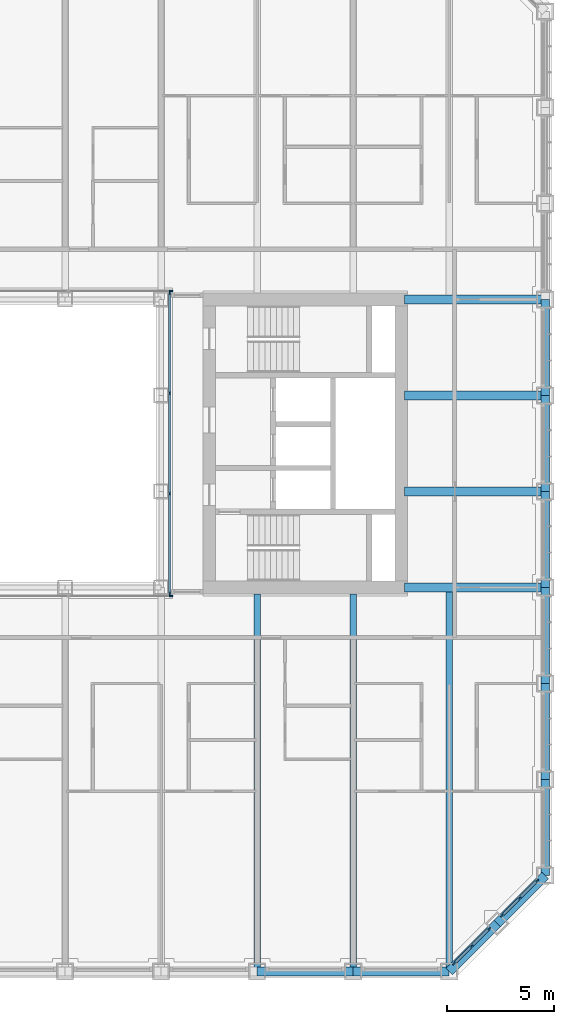
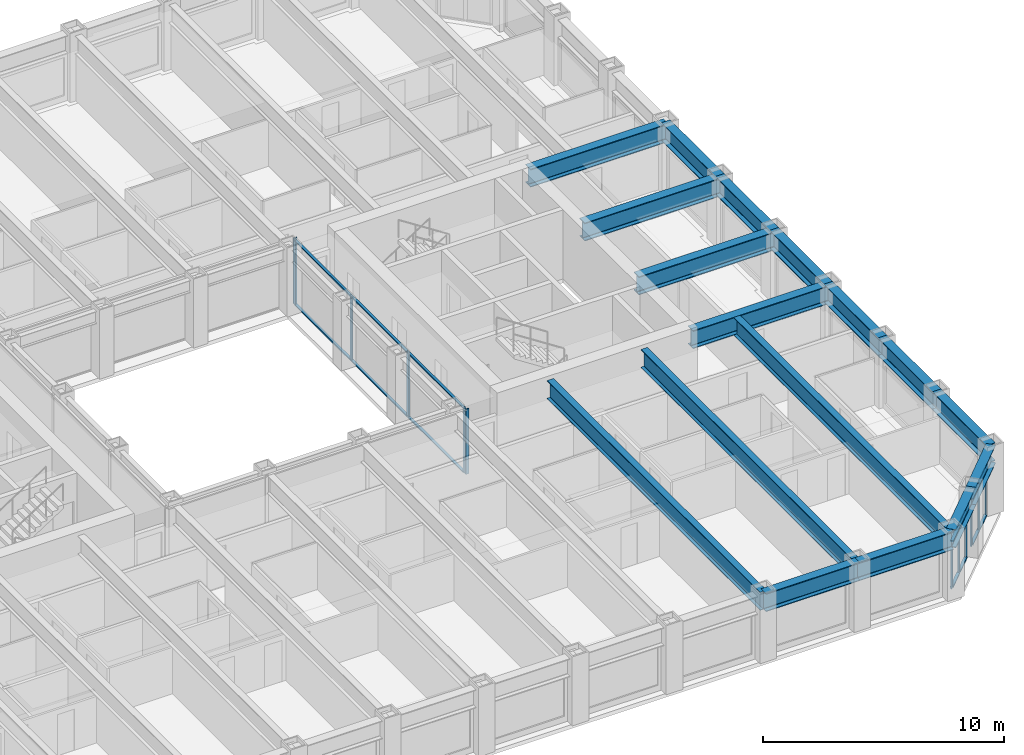
# One storey, part 5 of 21: 26 members, 17 beams, 5 elements without a shape of their own.
"""IFC4 building model written with IfcOpenShell, lengths in metres."""

from ifc_helpers import new_model, si_unit, direction, frame, origin, origin_2d, place, context, subcontext, project, spatial, rectangle, i_section, extrude, material, material_profile, profile_set, type_object, element, aggregate, save


model = new_model("IFC4")

# Units and contexts
model_context = context("Model", 3, precision=1e-05, world=origin(), true_north=direction((0.0, 1.0)))
body_context = subcontext(model_context, "Body", "Model", "MODEL_VIEW")
ifc_project = project(units=[si_unit("LENGTHUNIT", "METRE"), si_unit("AREAUNIT", "SQUARE_METRE"), si_unit("VOLUMEUNIT", "CUBIC_METRE"), si_unit("PLANEANGLEUNIT", "RADIAN"), si_unit("MASSUNIT", "GRAM", prefix="KILO")], contexts=[model_context])

# Site, building, storey
site_placement = place(None, origin())
site = spatial("IfcSite", under=ifc_project, at=site_placement, CompositionType="ELEMENT")
building_placement = place(site_placement, origin())
building = spatial("IfcBuilding", under=site, at=building_placement, Name="Msasa Ring Tower", CompositionType="ELEMENT")
storey_placement = place(building_placement, frame((0.0, 0.0, 40.5)))
storey = spatial("IfcBuildingStorey", under=building, at=storey_placement, Name="L09", CompositionType="ELEMENT", Elevation=40.5)

# Curtain wall, members
ifc_material_1 = material(Name="Aluminium curtain wall with clear glass", Category="aluminium")
curtain_wall_type_1 = type_object("IfcCurtainWallType", Name="CW-C CHAMFER CORNER CURTAIN WALL", PredefinedType="NOTDEFINED", material=ifc_material_1)
curtain_wall_1_placement = place(storey_placement, origin())
curtain_wall_1 = element("IfcCurtainWall", 1, at=curtain_wall_1_placement, inside=storey, type_object=curtain_wall_type_1, Name="Chamfer corner curtain wall SE L09", PredefinedType="NOTDEFINED")
ifc_material_2 = material(Name="Aluminium mullion", Category="aluminium")
ifc_material_profile_1 = material_profile(ifc_material_2, rectangle(XDim=0.06494140625, YDim=0.179931640625, at=origin_2d()), Name="AL 65x180")
ifc_profile_set_1 = profile_set([ifc_material_profile_1], Name="Aluminium mullion")
member_type_1 = type_object("IfcMemberType", Name="CW-C MULLION 65x180", PredefinedType="MULLION", material=ifc_profile_set_1)
member_1_placement = place(storey_placement, frame((20.48876953125, -24.369873046875, 0.0), z_axis=(0.0, 0.0, 1.0), x_axis=(-0.707106781187, 0.707106781187, 0.0)))
member_1 = element("IfcMember", 2, at=member_1_placement, type_object=member_type_1, Name="CW-C mullion 1", PredefinedType="MULLION", context=body_context, shape_type="SweptSolid", body=[
    extrude(rectangle(XDim=0.06494140625, YDim=0.179931640625, at=origin_2d()), origin(), (0.0, 0.0, 1.0), 2.37890625),
])
member_2_placement = place(storey_placement, frame((21.30419921875, -23.55419921875, 0.0), z_axis=(0.0, 0.0, 1.0), x_axis=(-0.707106781187, 0.707106781187, 0.0)))
member_2 = element("IfcMember", 3, at=member_2_placement, type_object=member_type_1, Name="CW-C mullion 2", PredefinedType="MULLION", context=body_context, shape_type="SweptSolid", body=[
    extrude(rectangle(XDim=0.06494140625, YDim=0.179931640625, at=origin_2d()), origin(), (0.0, 0.0, 1.0), 2.37890625),
])
member_3_placement = place(storey_placement, frame((22.119873046875, -22.73876953125, 0.0), z_axis=(0.0, 0.0, 1.0), x_axis=(-0.707106781187, 0.707106781187, 0.0)))
member_3 = element("IfcMember", 4, at=member_3_placement, type_object=member_type_1, Name="CW-C mullion 3", PredefinedType="MULLION", context=body_context, shape_type="SweptSolid", body=[
    extrude(rectangle(XDim=0.06494140625, YDim=0.179931640625, at=origin_2d()), origin(), (0.0, 0.0, 1.0), 2.37890625),
])

curtain_wall_2_placement = place(storey_placement, origin())
curtain_wall_2 = element("IfcCurtainWall", 5, at=curtain_wall_2_placement, inside=storey, type_object=curtain_wall_type_1, Name="Chamfer corner curtain wall SE L09", PredefinedType="NOTDEFINED")
member_4_placement = place(storey_placement, frame((22.73876953125, -22.119873046875, 0.0), z_axis=(0.0, 0.0, 1.0), x_axis=(-0.707106781187, 0.707106781187, 0.0)))
member_4 = element("IfcMember", 6, at=member_4_placement, type_object=member_type_1, Name="CW-C mullion 1", PredefinedType="MULLION", context=body_context, shape_type="SweptSolid", body=[
    extrude(rectangle(XDim=0.06494140625, YDim=0.179931640625, at=origin_2d()), origin(), (0.0, 0.0, 1.0), 2.37890625),
])
member_5_placement = place(storey_placement, frame((23.55419921875, -21.30419921875, 0.0), z_axis=(0.0, 0.0, 1.0), x_axis=(-0.707106781187, 0.707106781187, 0.0)))
member_5 = element("IfcMember", 7, at=member_5_placement, type_object=member_type_1, Name="CW-C mullion 2", PredefinedType="MULLION", context=body_context, shape_type="SweptSolid", body=[
    extrude(rectangle(XDim=0.06494140625, YDim=0.179931640625, at=origin_2d()), origin(), (0.0, 0.0, 1.0), 2.37890625),
])
member_6_placement = place(storey_placement, frame((24.369873046875, -20.48876953125, 0.0), z_axis=(0.0, 0.0, 1.0), x_axis=(-0.707106781187, 0.707106781187, 0.0)))
member_6 = element("IfcMember", 8, at=member_6_placement, type_object=member_type_1, Name="CW-C mullion 3", PredefinedType="MULLION", context=body_context, shape_type="SweptSolid", body=[
    extrude(rectangle(XDim=0.06494140625, YDim=0.179931640625, at=origin_2d()), origin(), (0.0, 0.0, 1.0), 2.37890625),
])

# Member
ifc_material_3 = material(Name="Aluminium transom", Category="aluminium")
ifc_material_profile_2 = material_profile(ifc_material_3, rectangle(XDim=0.139892578125, YDim=0.06494140625, at=origin_2d()), Name="AL 65x140")
ifc_profile_set_2 = profile_set([ifc_material_profile_2], Name="Aluminium transom")
member_type_2 = type_object("IfcMemberType", Name="CW-C TRANSOM 65x140", PredefinedType="USERDEFINED", material=ifc_profile_set_2)
member_7_placement = place(storey_placement, frame((20.51171875, -24.346923828125, 0.032470703125), z_axis=(0.707106781187, 0.707106781187, 0.0), x_axis=(-0.707106781187, 0.707106781187, 0.0)))
member_7 = element("IfcMember", 9, at=member_7_placement, type_object=member_type_2, Name="CW-C transom 1.1", ObjectType="TRANSOM", PredefinedType="USERDEFINED", context=body_context, shape_type="SweptSolid", body=[
    extrude(rectangle(XDim=0.139892578125, YDim=0.06494140625, at=origin_2d()), origin(), (0.0, 0.0, 1.0), 1.08837890625),
])

member_8_placement = place(storey_placement, frame((20.51171875, -24.346923828125, 2.346435546875), z_axis=(0.707106781187, 0.707106781187, 0.0), x_axis=(-0.707106781187, 0.707106781187, 0.0)))
member_8 = element("IfcMember", 10, at=member_8_placement, type_object=member_type_2, Name="CW-C transom 1.2", ObjectType="TRANSOM", PredefinedType="USERDEFINED", context=body_context, shape_type="SweptSolid", body=[
    extrude(rectangle(XDim=0.139892578125, YDim=0.06494140625, at=origin_2d()), origin(), (0.0, 0.0, 1.0), 1.08837890625),
])

member_9_placement = place(storey_placement, frame((21.327392578125, -23.53125, 0.032470703125), z_axis=(0.707106781187, 0.707106781187, 0.0), x_axis=(-0.707106781187, 0.707106781187, 0.0)))
member_9 = element("IfcMember", 11, at=member_9_placement, type_object=member_type_2, Name="CW-C transom 2.1", ObjectType="TRANSOM", PredefinedType="USERDEFINED", context=body_context, shape_type="SweptSolid", body=[
    extrude(rectangle(XDim=0.139892578125, YDim=0.06494140625, at=origin_2d()), origin(), (0.0, 0.0, 1.0), 1.08837890625),
])

member_10_placement = place(storey_placement, frame((21.327392578125, -23.53125, 2.346435546875), z_axis=(0.707106781187, 0.707106781187, 0.0), x_axis=(-0.707106781187, 0.707106781187, 0.0)))
member_10 = element("IfcMember", 12, at=member_10_placement, type_object=member_type_2, Name="CW-C transom 2.2", ObjectType="TRANSOM", PredefinedType="USERDEFINED", context=body_context, shape_type="SweptSolid", body=[
    extrude(rectangle(XDim=0.139892578125, YDim=0.06494140625, at=origin_2d()), origin(), (0.0, 0.0, 1.0), 1.08837890625),
])

aggregate(curtain_wall_1, [member_1, member_2, member_3, member_7, member_8, member_9, member_10])

member_11_placement = place(storey_placement, frame((22.76171875, -22.096923828125, 0.032470703125), z_axis=(0.707106781187, 0.707106781187, 0.0), x_axis=(-0.707106781187, 0.707106781187, 0.0)))
member_11 = element("IfcMember", 13, at=member_11_placement, type_object=member_type_2, Name="CW-C transom 1.1", ObjectType="TRANSOM", PredefinedType="USERDEFINED", context=body_context, shape_type="SweptSolid", body=[
    extrude(rectangle(XDim=0.139892578125, YDim=0.06494140625, at=origin_2d()), origin(), (0.0, 0.0, 1.0), 1.08837890625),
])

member_12_placement = place(storey_placement, frame((22.76171875, -22.096923828125, 2.346435546875), z_axis=(0.707106781187, 0.707106781187, 0.0), x_axis=(-0.707106781187, 0.707106781187, 0.0)))
member_12 = element("IfcMember", 14, at=member_12_placement, type_object=member_type_2, Name="CW-C transom 1.2", ObjectType="TRANSOM", PredefinedType="USERDEFINED", context=body_context, shape_type="SweptSolid", body=[
    extrude(rectangle(XDim=0.139892578125, YDim=0.06494140625, at=origin_2d()), origin(), (0.0, 0.0, 1.0), 1.08837890625),
])

member_13_placement = place(storey_placement, frame((23.577392578125, -21.28125, 0.032470703125), z_axis=(0.707106781187, 0.707106781187, 0.0), x_axis=(-0.707106781187, 0.707106781187, 0.0)))
member_13 = element("IfcMember", 15, at=member_13_placement, type_object=member_type_2, Name="CW-C transom 2.1", ObjectType="TRANSOM", PredefinedType="USERDEFINED", context=body_context, shape_type="SweptSolid", body=[
    extrude(rectangle(XDim=0.139892578125, YDim=0.06494140625, at=origin_2d()), origin(), (0.0, 0.0, 1.0), 1.08837890625),
])

member_14_placement = place(storey_placement, frame((23.577392578125, -21.28125, 2.346435546875), z_axis=(0.707106781187, 0.707106781187, 0.0), x_axis=(-0.707106781187, 0.707106781187, 0.0)))
member_14 = element("IfcMember", 16, at=member_14_placement, type_object=member_type_2, Name="CW-C transom 2.2", ObjectType="TRANSOM", PredefinedType="USERDEFINED", context=body_context, shape_type="SweptSolid", body=[
    extrude(rectangle(XDim=0.139892578125, YDim=0.06494140625, at=origin_2d()), origin(), (0.0, 0.0, 1.0), 1.08837890625),
])

aggregate(curtain_wall_2, [member_4, member_5, member_6, member_11, member_12, member_13, member_14])

# Curtain wall, member
ifc_material_4 = material(Name="Aluminium curtain wall with clear glass", Category="aluminium")
curtain_wall_type_2 = type_object("IfcCurtainWallType", Name="CW-W LIGHT WELL CURTAIN WALL", PredefinedType="NOTDEFINED", material=ifc_material_4)
curtain_wall_3_placement = place(storey_placement, origin())
curtain_wall_3 = element("IfcCurtainWall", 17, at=curtain_wall_3_placement, inside=storey, type_object=curtain_wall_type_2, Name="Light well curtain wall N L09", PredefinedType="NOTDEFINED")
ifc_material_5 = material(Name="Aluminium mullion", Category="aluminium")
ifc_material_profile_3 = material_profile(ifc_material_5, rectangle(XDim=0.06005859375, YDim=0.159912109375, at=origin_2d()), Name="AL 60x160")
ifc_profile_set_3 = profile_set([ifc_material_profile_3], Name="Aluminium mullion")
member_type_3 = type_object("IfcMemberType", Name="CW-W MULLION 60x160", PredefinedType="MULLION", material=ifc_profile_set_3)
member_15_placement = place(storey_placement, frame((7.199951171875, 7.14990234375, 0.0), z_axis=(0.0, 0.0, 1.0), x_axis=(0.0, 1.0, 0.0)))
member_15 = element("IfcMember", 18, at=member_15_placement, type_object=member_type_3, Name="CW-W mullion 4", PredefinedType="MULLION", context=body_context, shape_type="SweptSolid", body=[
    extrude(rectangle(XDim=0.06005859375, YDim=0.159912109375, at=origin_2d()), origin(), (0.0, 0.0, 1.0), 3.300048828125),
])
aggregate(curtain_wall_3, [member_15])

curtain_wall_4_placement = place(storey_placement, origin())
curtain_wall_4 = element("IfcCurtainWall", 19, at=curtain_wall_4_placement, inside=storey, type_object=curtain_wall_type_2, Name="Light well curtain wall S L09", PredefinedType="NOTDEFINED")
member_16_placement = place(storey_placement, frame((7.199951171875, -7.14990234375, 0.0), z_axis=(0.0, 0.0, 1.0), x_axis=(0.0, 1.0, 0.0)))
member_16 = element("IfcMember", 20, at=member_16_placement, type_object=member_type_3, Name="CW-W mullion 4", PredefinedType="MULLION", context=body_context, shape_type="SweptSolid", body=[
    extrude(rectangle(XDim=0.06005859375, YDim=0.159912109375, at=origin_2d()), origin(), (0.0, 0.0, 1.0), 3.300048828125),
])
aggregate(curtain_wall_4, [member_16])

# Curtain wall, members
curtain_wall_5_placement = place(storey_placement, origin())
curtain_wall_5 = element("IfcCurtainWall", 21, at=curtain_wall_5_placement, inside=storey, type_object=curtain_wall_type_2, Name="Light well curtain wall E L09", PredefinedType="NOTDEFINED")
member_17_placement = place(storey_placement, frame((7.14990234375, -7.0400390625, 0.0), z_axis=(0.0, 0.0, 1.0), x_axis=(-1.0, 0.0, 0.0)))
member_17 = element("IfcMember", 22, at=member_17_placement, type_object=member_type_3, Name="CW-W mullion 1", PredefinedType="MULLION", context=body_context, shape_type="SweptSolid", body=[
    extrude(rectangle(XDim=0.06005859375, YDim=0.159912109375, at=origin_2d()), origin(), (0.0, 0.0, 1.0), 3.300048828125),
])
member_18_placement = place(storey_placement, frame((7.14990234375, -2.356689453125, 0.0), z_axis=(0.0, 0.0, 1.0), x_axis=(-1.0, 0.0, 0.0)))
member_18 = element("IfcMember", 23, at=member_18_placement, type_object=member_type_3, Name="CW-W mullion 2", PredefinedType="MULLION", context=body_context, shape_type="SweptSolid", body=[
    extrude(rectangle(XDim=0.06005859375, YDim=0.159912109375, at=origin_2d()), origin(), (0.0, 0.0, 1.0), 3.300048828125),
])
member_19_placement = place(storey_placement, frame((7.14990234375, 2.356689453125, 0.0), z_axis=(0.0, 0.0, 1.0), x_axis=(-1.0, 0.0, 0.0)))
member_19 = element("IfcMember", 24, at=member_19_placement, type_object=member_type_3, Name="CW-W mullion 3", PredefinedType="MULLION", context=body_context, shape_type="SweptSolid", body=[
    extrude(rectangle(XDim=0.06005859375, YDim=0.159912109375, at=origin_2d()), origin(), (0.0, 0.0, 1.0), 3.300048828125),
])
member_20_placement = place(storey_placement, frame((7.14990234375, 7.0400390625, 0.0), z_axis=(0.0, 0.0, 1.0), x_axis=(-1.0, 0.0, 0.0)))
member_20 = element("IfcMember", 25, at=member_20_placement, type_object=member_type_3, Name="CW-W mullion 4", PredefinedType="MULLION", context=body_context, shape_type="SweptSolid", body=[
    extrude(rectangle(XDim=0.06005859375, YDim=0.159912109375, at=origin_2d()), origin(), (0.0, 0.0, 1.0), 3.300048828125),
])
ifc_material_6 = material(Name="Aluminium transom", Category="aluminium")
ifc_material_profile_4 = material_profile(ifc_material_6, rectangle(XDim=0.1201171875, YDim=0.06005859375, at=origin_2d()), Name="AL 60x120")
ifc_profile_set_4 = profile_set([ifc_material_profile_4], Name="Aluminium transom")
member_type_4 = type_object("IfcMemberType", Name="CW-W TRANSOM 60x120", PredefinedType="USERDEFINED", material=ifc_profile_set_4)
member_21_placement = place(storey_placement, frame((7.14990234375, -7.010009765625, 0.030029296875), z_axis=(0.0, 1.0, 0.0), x_axis=(-1.0, 0.0, 0.0)))
member_21 = element("IfcMember", 26, at=member_21_placement, type_object=member_type_4, Name="CW-W transom 1.1", ObjectType="TRANSOM", PredefinedType="USERDEFINED", context=body_context, shape_type="SweptSolid", body=[
    extrude(rectangle(XDim=0.1201171875, YDim=0.06005859375, at=origin_2d()), origin(), (0.0, 0.0, 1.0), 4.623291015625),
])
member_22_placement = place(storey_placement, frame((7.14990234375, -7.010009765625, 3.27001953125), z_axis=(0.0, 1.0, 0.0), x_axis=(-1.0, 0.0, 0.0)))
member_22 = element("IfcMember", 27, at=member_22_placement, type_object=member_type_4, Name="CW-W transom 1.2", ObjectType="TRANSOM", PredefinedType="USERDEFINED", context=body_context, shape_type="SweptSolid", body=[
    extrude(rectangle(XDim=0.1201171875, YDim=0.06005859375, at=origin_2d()), origin(), (0.0, 0.0, 1.0), 4.623291015625),
])
member_23_placement = place(storey_placement, frame((7.14990234375, -2.32666015625, 0.030029296875), z_axis=(0.0, 1.0, 0.0), x_axis=(-1.0, 0.0, 0.0)))
member_23 = element("IfcMember", 28, at=member_23_placement, type_object=member_type_4, Name="CW-W transom 2.1", ObjectType="TRANSOM", PredefinedType="USERDEFINED", context=body_context, shape_type="SweptSolid", body=[
    extrude(rectangle(XDim=0.1201171875, YDim=0.06005859375, at=origin_2d()), origin(), (0.0, 0.0, 1.0), 4.6533203125),
])
member_24_placement = place(storey_placement, frame((7.14990234375, -2.32666015625, 3.27001953125), z_axis=(0.0, 1.0, 0.0), x_axis=(-1.0, 0.0, 0.0)))
member_24 = element("IfcMember", 29, at=member_24_placement, type_object=member_type_4, Name="CW-W transom 2.2", ObjectType="TRANSOM", PredefinedType="USERDEFINED", context=body_context, shape_type="SweptSolid", body=[
    extrude(rectangle(XDim=0.1201171875, YDim=0.06005859375, at=origin_2d()), origin(), (0.0, 0.0, 1.0), 4.6533203125),
])
member_25_placement = place(storey_placement, frame((7.14990234375, 2.38671875, 0.030029296875), z_axis=(0.0, 1.0, 0.0), x_axis=(-1.0, 0.0, 0.0)))
member_25 = element("IfcMember", 30, at=member_25_placement, type_object=member_type_4, Name="CW-W transom 3.1", ObjectType="TRANSOM", PredefinedType="USERDEFINED", context=body_context, shape_type="SweptSolid", body=[
    extrude(rectangle(XDim=0.1201171875, YDim=0.06005859375, at=origin_2d()), origin(), (0.0, 0.0, 1.0), 4.623291015625),
])
member_26_placement = place(storey_placement, frame((7.14990234375, 2.38671875, 3.27001953125), z_axis=(0.0, 1.0, 0.0), x_axis=(-1.0, 0.0, 0.0)))
member_26 = element("IfcMember", 31, at=member_26_placement, type_object=member_type_4, Name="CW-W transom 3.2", ObjectType="TRANSOM", PredefinedType="USERDEFINED", context=body_context, shape_type="SweptSolid", body=[
    extrude(rectangle(XDim=0.1201171875, YDim=0.06005859375, at=origin_2d()), origin(), (0.0, 0.0, 1.0), 4.623291015625),
])
aggregate(curtain_wall_5, [member_17, member_18, member_19, member_20, member_21, member_22, member_23, member_24, member_25, member_26])

# Beams
ifc_material_7 = material(Name="Steel S355", Category="steel")
ifc_material_profile_5 = material_profile(ifc_material_7, i_section(OverallWidth=0.42041015625, OverallDepth=0.9208984375, WebThickness=0.021484375, FlangeThickness=0.03662109375, FilletRadius=0.024169921875, at=origin_2d()), Name="UB 914x419x388")
ifc_profile_set_5 = profile_set([ifc_material_profile_5], Name="Steel S355")
beam_type_1 = type_object("IfcBeamType", Name="FB2 UB 914x419x388", PredefinedType="BEAM", material=ifc_profile_set_5)
for number, where, z_axis, x_axis, name in (
    (32, (24.75, -2.25, 2.839599609375), (-1.0, 0.0, 0.0), (0.0, -1.0, 0.0), "Floor beam E -2.25 under L10"),
    (33, (24.75, 2.25, 2.839599609375), (-1.0, 0.0, 0.0), (0.0, -1.0, 0.0), "Floor beam E +2.25 under L10"),
):
    element("IfcBeam", number, at=place(storey_placement, frame(where, z_axis=z_axis, x_axis=x_axis)), inside=storey, type_object=beam_type_1, Name=name, PredefinedType="BEAM", context=body_context, shape_type="SweptSolid", body=[
        extrude(i_section(OverallWidth=0.42041015625, OverallDepth=0.9208984375, WebThickness=0.021484375, FlangeThickness=0.03662109375, FilletRadius=0.024169921875, at=origin_2d()), origin(), (0.0, 0.0, 1.0), 6.60009765625),
    ])
ifc_material_8 = material(Name="Steel S355", Category="steel")
ifc_material_profile_6 = material_profile(ifc_material_8, i_section(OverallWidth=0.3076171875, OverallDepth=0.926513671875, WebThickness=0.01953125, FlangeThickness=0.031982421875, FilletRadius=0.01904296875, at=origin_2d()), Name="UB 914x305x289")
ifc_profile_set_6 = profile_set([ifc_material_profile_6], Name="Steel S355")
beam_type_2 = type_object("IfcBeamType", Name="FB3 UB 914x305x289", PredefinedType="BEAM", material=ifc_profile_set_6)
for number, where, z_axis, x_axis, name in (
    (34, (11.25, -24.75, 2.836669921875), (0.0, 1.0, 0.0), (-1.0, 0.0, 0.0), "Floor beam S+11.25 under L10"),
    (35, (15.75, -24.75, 2.836669921875), (0.0, 1.0, 0.0), (-1.0, 0.0, 0.0), "Floor beam S+15.75 under L10"),
):
    element("IfcBeam", number, at=place(storey_placement, frame(where, z_axis=z_axis, x_axis=x_axis)), inside=storey, type_object=beam_type_2, Name=name, PredefinedType="BEAM", context=body_context, shape_type="SweptSolid", body=[
        extrude(i_section(OverallWidth=0.3076171875, OverallDepth=0.926513671875, WebThickness=0.01953125, FlangeThickness=0.031982421875, FilletRadius=0.01904296875, at=origin_2d()), origin(), (0.0, 0.0, 1.0), 17.699951171875),
    ])
beam_placement = place(storey_placement, frame((20.25, -24.75, 2.836669921875), z_axis=(0.0, 1.0, 0.0), x_axis=(-1.0, 0.0, 0.0)))
element("IfcBeam", 36, at=beam_placement, inside=storey, type_object=beam_type_2, Name="Floor beam S+20.25 under L10", PredefinedType="BEAM", context=body_context, shape_type="SweptSolid", body=[
    extrude(i_section(OverallWidth=0.3076171875, OverallDepth=0.926513671875, WebThickness=0.01953125, FlangeThickness=0.031982421875, FilletRadius=0.01904296875, at=origin_2d()), origin(), (0.0, 0.0, 1.0), 17.789794921875),
])
ifc_material_9 = material(Name="Steel S355", Category="steel")
ifc_material_profile_7 = material_profile(ifc_material_9, i_section(OverallWidth=0.42041015625, OverallDepth=0.9208984375, WebThickness=0.021484375, FlangeThickness=0.03662109375, FilletRadius=0.024169921875, at=origin_2d()), Name="UB 914x419x388")
ifc_profile_set_7 = profile_set([ifc_material_profile_7], Name="Steel S355")
beam_type_3 = type_object("IfcBeamType", Name="GB1 UB 914x419x388", PredefinedType="BEAM", material=ifc_profile_set_7)
for number, where, z_axis, x_axis, name in (
    (37, (18.14990234375, 6.75, 2.839599609375), (1.0, 0.0, 0.0), (0.0, 1.0, 0.0), "Girder E +6.75 under L10"),
    (38, (18.14990234375, -6.75, 2.839599609375), (1.0, 0.0, 0.0), (0.0, 1.0, 0.0), "Girder E -6.75 under L10"),
):
    element("IfcBeam", number, at=place(storey_placement, frame(where, z_axis=z_axis, x_axis=x_axis)), inside=storey, type_object=beam_type_3, Name=name, PredefinedType="BEAM", context=body_context, shape_type="SweptSolid", body=[
        extrude(i_section(OverallWidth=0.42041015625, OverallDepth=0.9208984375, WebThickness=0.021484375, FlangeThickness=0.03662109375, FilletRadius=0.024169921875, at=origin_2d()), origin(), (0.0, 0.0, 1.0), 6.60009765625),
    ])
ifc_material_10 = material(Name="Steel S355", Category="steel")
ifc_material_profile_8 = material_profile(ifc_material_10, i_section(OverallWidth=0.42041015625, OverallDepth=0.9208984375, WebThickness=0.021484375, FlangeThickness=0.03662109375, FilletRadius=0.024169921875, at=origin_2d()), Name="UB 914x419x388")
ifc_profile_set_8 = profile_set([ifc_material_profile_8], Name="Steel S355")
beam_type_4 = type_object("IfcBeamType", Name="SB1 UB 914x419x388", PredefinedType="SPANDREL", material=ifc_profile_set_8)
for number, where, z_axis, x_axis, name in (
    (39, (11.25, -24.75, 2.839599609375), (1.0, 0.0, 0.0), (0.0, 1.0, 0.0), "Spandrel S+11.25 to S+15.75 under L10"),
    (40, (15.75, -24.75, 2.839599609375), (1.0, 0.0, 0.0), (0.0, 1.0, 0.0), "Spandrel S+15.75 to S+20.25 under L10"),
):
    element("IfcBeam", number, at=place(storey_placement, frame(where, z_axis=z_axis, x_axis=x_axis)), inside=storey, type_object=beam_type_4, Name=name, PredefinedType="SPANDREL", context=body_context, shape_type="SweptSolid", body=[
        extrude(i_section(OverallWidth=0.42041015625, OverallDepth=0.9208984375, WebThickness=0.021484375, FlangeThickness=0.03662109375, FilletRadius=0.024169921875, at=origin_2d()), origin(), (0.0, 0.0, 1.0), 4.5),
    ])
for number, where, z_axis, x_axis, name in (
    (41, (20.25, -24.75, 2.839599609375), (0.707106781187, 0.707106781187, 0.0), (-0.707106781187, 0.707106781187, 0.0), "Spandrel S+20.25 to SE under L10"),
    (42, (22.5, -22.5, 2.839599609375), (0.707106781187, 0.707106781187, 0.0), (-0.707106781187, 0.707106781187, 0.0), "Spandrel SE to E-20.25 under L10"),
):
    element("IfcBeam", number, at=place(storey_placement, frame(where, z_axis=z_axis, x_axis=x_axis)), inside=storey, type_object=beam_type_4, Name=name, PredefinedType="SPANDREL", context=body_context, shape_type="SweptSolid", body=[
        extrude(i_section(OverallWidth=0.42041015625, OverallDepth=0.9208984375, WebThickness=0.021484375, FlangeThickness=0.03662109375, FilletRadius=0.024169921875, at=origin_2d()), origin(), (0.0, 0.0, 1.0), 3.181884765625),
    ])
for number, where, z_axis, x_axis, name in (
    (43, (24.75, -20.25, 2.839599609375), (0.0, 1.0, 0.0), (-1.0, 0.0, 0.0), "Spandrel E-20.25 to E-15.75 under L10"),
    (44, (24.75, -15.75, 2.839599609375), (0.0, 1.0, 0.0), (-1.0, 0.0, 0.0), "Spandrel E-15.75 to E-11.25 under L10"),
    (45, (24.75, -11.25, 2.839599609375), (0.0, 1.0, 0.0), (-1.0, 0.0, 0.0), "Spandrel E-11.25 to E-6.75 under L10"),
    (46, (24.75, -6.75, 2.839599609375), (0.0, 1.0, 0.0), (-1.0, 0.0, 0.0), "Spandrel E-6.75 to E-2.25 under L10"),
    (47, (24.75, -2.25, 2.839599609375), (0.0, 1.0, 0.0), (-1.0, 0.0, 0.0), "Spandrel E-2.25 to E+2.25 under L10"),
    (48, (24.75, 2.25, 2.839599609375), (0.0, 1.0, 0.0), (-1.0, 0.0, 0.0), "Spandrel E+2.25 to E+6.75 under L10"),
):
    element("IfcBeam", number, at=place(storey_placement, frame(where, z_axis=z_axis, x_axis=x_axis)), inside=storey, type_object=beam_type_4, Name=name, PredefinedType="SPANDREL", context=body_context, shape_type="SweptSolid", body=[
        extrude(i_section(OverallWidth=0.42041015625, OverallDepth=0.9208984375, WebThickness=0.021484375, FlangeThickness=0.03662109375, FilletRadius=0.024169921875, at=origin_2d()), origin(), (0.0, 0.0, 1.0), 4.5),
    ])

save(model, "model.ifc")
